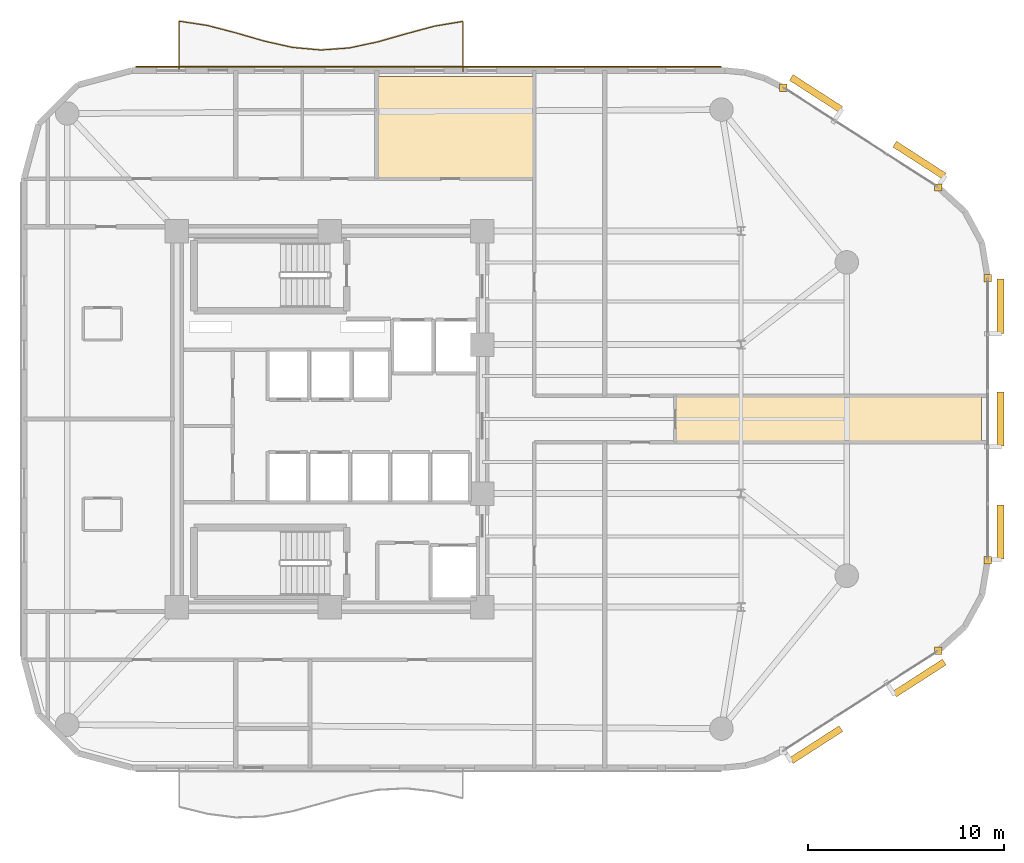
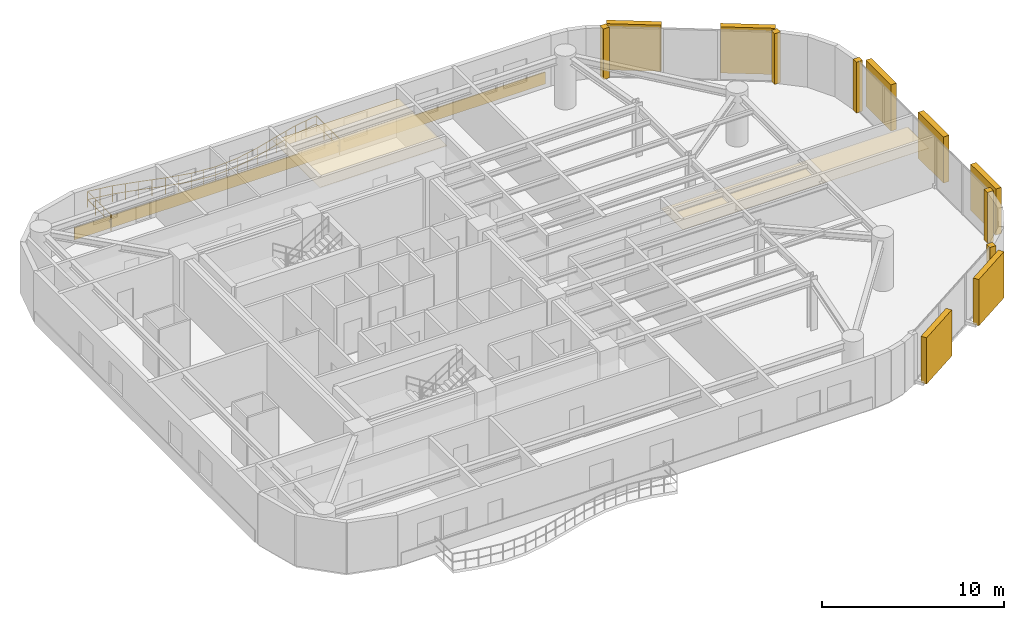
# One storey, part 15 of 15: 8 coverings, 7 shading devices, 1 railing.
"""IFC4 building model written with IfcOpenShell, lengths in metres."""

from ifc_helpers import new_model, si_unit, direction, frame, origin, origin_2d, place, context, subcontext, project, spatial, polyline, rectangle, circle, outline, extrude, material, layer, layer_set, type_object, element, save


model = new_model("IFC4")

# Units and contexts
model_context = context("Model", 3, precision=1e-05, world=origin(), true_north=direction((0.0, 1.0)))
body_context = subcontext(model_context, "Body", "Model", "MODEL_VIEW")
ifc_project = project(units=[si_unit("LENGTHUNIT", "METRE"), si_unit("AREAUNIT", "SQUARE_METRE"), si_unit("VOLUMEUNIT", "CUBIC_METRE"), si_unit("PLANEANGLEUNIT", "RADIAN"), si_unit("MASSUNIT", "GRAM", prefix="KILO")], contexts=[model_context])

# Site, building, storey
site_placement = place(None, origin())
site = spatial("IfcSite", under=ifc_project, at=site_placement, CompositionType="ELEMENT")
building_placement = place(site_placement, origin())
building = spatial("IfcBuilding", under=site, at=building_placement, Name="An Khanh Terracotta Commons", CompositionType="ELEMENT")
storey_placement = place(building_placement, frame((0.0, 0.0, 179.800048828125)))
storey = spatial("IfcBuildingStorey", under=building, at=storey_placement, Name="L47", CompositionType="ELEMENT", Elevation=179.800048828125)

# Coverings
ifc_material_1 = material(Name="Perforated Mineral-Fibre Acoustic Tile")
ifc_layer_1 = layer(ifc_material_1, 0.02001953125, Name="Perforated Mineral-Fibre Acoustic Tile")
ifc_layer_set_1 = layer_set([ifc_layer_1], Name="Perforated Mineral-Fibre Acoustic Tile")
covering_type_1 = type_object("IfcCoveringType", Name="CEIL-ACOUSTIC-18", PredefinedType="CEILING", material=ifc_layer_set_1)
covering_1_placement = place(storey_placement, frame((0.0, 0.0, 2.64990234375)))
element("IfcCovering", 1, at=covering_1_placement, inside=storey, type_object=covering_type_1, Name="L47 Academic Seminar Room Ceiling", PredefinedType="CEILING", context=body_context, shape_type="SweptSolid", body=[
    extrude(outline(polyline([(62.679931640625, 22.820068359375), (47.050048828125, 22.820068359375), (47.050048828125, 25.179931640625), (62.679931640625, 25.179931640625), (62.679931640625, 22.820068359375)])), origin(), (0.0, 0.0, 1.0), 0.02001953125),
])
covering_2_placement = place(storey_placement, frame((0.0, 0.0, 2.64990234375)))
element("IfcCovering", 2, at=covering_2_placement, inside=storey, type_object=covering_type_1, Name="L47 Student Reading Library Ceiling", PredefinedType="CEILING", context=body_context, shape_type="SweptSolid", body=[
    extrude(outline(polyline([(39.85009765625, 41.47998046875), (39.85009765625, 36.280029296875), (37.5, 36.280029296875), (31.800048828125, 36.280029296875), (31.800048828125, 39.800048828125), (31.800048828125, 41.47998046875), (39.85009765625, 41.47998046875)])), origin(), (0.0, 0.0, 1.0), 0.02001953125),
])
ifc_material_2 = material(Name="Fired Terracotta Rainscreen Cladding", Category="masonry")
ifc_layer_2 = layer(ifc_material_2, 0.080078125, Name="Fired Terracotta Rainscreen Cladding")
ifc_layer_set_2 = layer_set([ifc_layer_2], Name="Fired Terracotta Rainscreen Cladding")
covering_type_2 = type_object("IfcCoveringType", Name="COV-JAMB-TERRA", PredefinedType="CLADDING", material=ifc_layer_set_2)
for number, where, z_axis, x_axis, name in (
    (3, (60.47802734375, 12.176025390625, 0.0), (0.0, 0.0, 1.0), (1.0, 0.0, 0.0), "L47 CW-03 Curtain-Wall Jamb Closure JB"),
    (4, (63.0, 16.800048828125, 0.0), (0.0, 0.0, 1.0), (1.0, 0.0, 0.0), "L47 CW-03 Curtain-Wall Jamb Closure JA"),
    (5, (63.0, 31.199951171875, 0.0), (0.0, 0.0, 1.0), (1.0, 0.0, 0.0), "L47 CW-03 Curtain-Wall Jamb Closure JB"),
    (6, (60.47802734375, 35.823974609375, 0.0), (0.0, 0.0, 1.0), (1.0, 0.0, 0.0), "L47 CW-03 Curtain-Wall Jamb Closure JA"),
    (7, (52.56005859375, 40.924072265625, 0.0), (0.0, 0.0, 1.0), (1.0, 0.0, 0.0), "L47 CW-03 Curtain-Wall Jamb Closure JB"),
):
    element("IfcCovering", number, at=place(storey_placement, frame(where, z_axis=z_axis, x_axis=x_axis)), inside=storey, type_object=covering_type_2, Name=name, PredefinedType="CLADDING", context=body_context, shape_type="SweptSolid", body=[
        extrude(rectangle(XDim=0.3798828125, YDim=0.3798828125, at=origin_2d()), origin(), (0.0, 0.0, 1.0), 3.39990234375),
    ])
ifc_layer_3 = layer(ifc_material_2, 0.06005859375, Name="Fired Terracotta Rainscreen Cladding")
ifc_layer_set_3 = layer_set([ifc_layer_3], Name="Fired Terracotta Rainscreen Cladding")
covering_type_3 = type_object("IfcCoveringType", Name="COV-SPANDREL-TERRA", PredefinedType="CLADDING", material=ifc_layer_set_3)
covering_3_placement = place(storey_placement, frame((34.44091796875, 41.97998046875, 0.02001953125), z_axis=(0.0, 0.0, 1.0), x_axis=(-1.0, 0.0, 0.0)))
element("IfcCovering", 8, at=covering_3_placement, inside=storey, type_object=covering_type_3, Name="L47 Terracotta Spandrel Cladding 20", PredefinedType="CLADDING", context=body_context, shape_type="SweptSolid", body=[
    extrude(rectangle(XDim=29.882080078125, YDim=0.06005859375, at=origin_2d()), origin(), (0.0, 0.0, 1.0), 0.800048828125),
])

# Railing
ifc_material_3 = material(Name="Brushed Stainless Steel 316", Category="steel")
railing_type = type_object("IfcRailingType", Name="RAIL-BALUSTRADE-1100", PredefinedType="BALUSTRADE", material=ifc_material_3)
railing_placement = place(storey_placement, frame((36.199951171875, 41.739990234375, 0.0)))
element("IfcRailing", 9, at=railing_placement, inside=storey, type_object=railing_type, Name="L47 N Wave Balcony Guard Balustrade", PredefinedType="BALUSTRADE", context=body_context, shape_type="SweptSolid", body=[
    extrude(circle(Radius=0.02392578125, at=origin_2d()), frame((0.0, 0.0, 1.076171875), z_axis=(0.0, 1.0, 0.0), x_axis=(-1.0, 0.0, 0.0)), (0.0, 0.0, 1.0), 2.56005859375),
    extrude(circle(Radius=0.02392578125, at=origin_2d()), frame((0.0, 0.0, 0.52587890625), z_axis=(0.0, 1.0, 0.0), x_axis=(-1.0, 0.0, 0.0)), (0.0, 0.0, 1.0), 2.56005859375),
    extrude(circle(Radius=0.02392578125, at=origin_2d()), frame((0.0, 2.56005859375, 1.076171875), z_axis=(-0.98636248485, -0.1645875101, 0.0), x_axis=(0.1645875101, -0.98636248485, 0.0)), (0.0, 0.0, 1.0), 1.469970703125),
    extrude(circle(Radius=0.02392578125, at=origin_2d()), frame((0.0, 2.56005859375, 0.52587890625), z_axis=(-0.98636248485, -0.1645875101, 0.0), x_axis=(0.1645875101, -0.98636248485, 0.0)), (0.0, 0.0, 1.0), 1.469970703125),
    extrude(circle(Radius=0.02392578125, at=origin_2d()), frame((-1.449951171875, 2.318115234375, 1.076171875), z_axis=(-0.96565499472, -0.259827695161, 0.0), x_axis=(0.259827695161, -0.96565499472, 0.0)), (0.0, 0.0, 1.0), 1.50146484375),
    extrude(circle(Radius=0.02392578125, at=origin_2d()), frame((-1.449951171875, 2.318115234375, 0.52587890625), z_axis=(-0.96565499472, -0.259827695161, 0.0), x_axis=(0.259827695161, -0.96565499472, 0.0)), (0.0, 0.0, 1.0), 1.50146484375),
    extrude(circle(Radius=0.02392578125, at=origin_2d()), frame((-2.89990234375, 1.927978515625, 1.076171875), z_axis=(-0.961560597076, -0.274592822469, 0.0), x_axis=(0.274592822469, -0.961560597076, 0.0)), (0.0, 0.0, 1.0), 1.5078125),
    extrude(circle(Radius=0.02392578125, at=origin_2d()), frame((-2.89990234375, 1.927978515625, 0.52587890625), z_axis=(-0.961560597076, -0.274592822469, 0.0), x_axis=(0.274592822469, -0.961560597076, 0.0)), (0.0, 0.0, 1.0), 1.5078125),
    extrude(circle(Radius=0.02392578125, at=origin_2d()), frame((-4.349853515625, 1.513916015625, 1.076171875), z_axis=(-0.978066690423, -0.208291980368, 0.0), x_axis=(0.208291980368, -0.978066690423, 0.0)), (0.0, 0.0, 1.0), 1.482666015625),
    extrude(circle(Radius=0.02392578125, at=origin_2d()), frame((-4.349853515625, 1.513916015625, 0.52587890625), z_axis=(-0.978066690423, -0.208291980368, 0.0), x_axis=(0.208291980368, -0.978066690423, 0.0)), (0.0, 0.0, 1.0), 1.482666015625),
    extrude(circle(Radius=0.02392578125, at=origin_2d()), frame((-5.800048828125, 1.205078125, 1.076171875), z_axis=(-0.997389180348, -0.072213730855, 0.0), x_axis=(0.072213730855, -0.997389180348, 0.0)), (0.0, 0.0, 1.0), 1.453857421875),
    extrude(circle(Radius=0.02392578125, at=origin_2d()), frame((-5.800048828125, 1.205078125, 0.52587890625), z_axis=(-0.997389180348, -0.072213730855, 0.0), x_axis=(0.072213730855, -0.997389180348, 0.0)), (0.0, 0.0, 1.0), 1.453857421875),
    extrude(circle(Radius=0.02392578125, at=origin_2d()), frame((-7.25, 1.10009765625, 1.076171875), z_axis=(-0.995891831871, 0.090550865333, 0.0), x_axis=(-0.090550865333, -0.995891831871, 0.0)), (0.0, 0.0, 1.0), 1.455810546875),
    extrude(circle(Radius=0.02392578125, at=origin_2d()), frame((-7.25, 1.10009765625, 0.52587890625), z_axis=(-0.995891831871, 0.090550865333, 0.0), x_axis=(-0.090550865333, -0.995891831871, 0.0)), (0.0, 0.0, 1.0), 1.455810546875),
    extrude(circle(Radius=0.02392578125, at=origin_2d()), frame((-8.699951171875, 1.23193359375, 1.076171875), z_axis=(-0.975619429785, 0.21946919653, 0.0), x_axis=(-0.21946919653, -0.975619429785, 0.0)), (0.0, 0.0, 1.0), 1.486083984375),
    extrude(circle(Radius=0.02392578125, at=origin_2d()), frame((-8.699951171875, 1.23193359375, 0.52587890625), z_axis=(-0.975619429785, 0.21946919653, 0.0), x_axis=(-0.21946919653, -0.975619429785, 0.0)), (0.0, 0.0, 1.0), 1.486083984375),
    extrude(circle(Radius=0.02392578125, at=origin_2d()), frame((-10.14990234375, 1.55810546875, 1.076171875), z_axis=(-0.960701721664, 0.277582784034, 0.0), x_axis=(-0.277582784034, -0.960701721664, 0.0)), (0.0, 0.0, 1.0), 1.50927734375),
    extrude(circle(Radius=0.02392578125, at=origin_2d()), frame((-10.14990234375, 1.55810546875, 0.52587890625), z_axis=(-0.960701721664, 0.277582784034, 0.0), x_axis=(-0.277582784034, -0.960701721664, 0.0)), (0.0, 0.0, 1.0), 1.50927734375),
    extrude(circle(Radius=0.02392578125, at=origin_2d()), frame((-11.599853515625, 1.97705078125, 1.076171875), z_axis=(-0.967679523203, 0.252183148471, 0.0), x_axis=(-0.252183148471, -0.967679523203, 0.0)), (0.0, 0.0, 1.0), 1.49853515625),
    extrude(circle(Radius=0.02392578125, at=origin_2d()), frame((-11.599853515625, 1.97705078125, 0.52587890625), z_axis=(-0.967679523203, 0.252183148471, 0.0), x_axis=(-0.252183148471, -0.967679523203, 0.0)), (0.0, 0.0, 1.0), 1.49853515625),
    extrude(circle(Radius=0.02392578125, at=origin_2d()), frame((-13.050048828125, 2.35498046875, 1.076171875), z_axis=(-0.988785638282, 0.149341760825, 0.0), x_axis=(-0.149341760825, -0.988785638282, 0.0)), (0.0, 0.0, 1.0), 1.46630859375),
    extrude(circle(Radius=0.02392578125, at=origin_2d()), frame((-13.050048828125, 2.35498046875, 0.52587890625), z_axis=(-0.988785638282, 0.149341760825, 0.0), x_axis=(-0.149341760825, -0.988785638282, 0.0)), (0.0, 0.0, 1.0), 1.46630859375),
    extrude(circle(Radius=0.02392578125, at=origin_2d()), frame((-14.5, 2.573974609375, 1.076171875), z_axis=(0.0, -1.0, 0.0), x_axis=(1.0, 0.0, 0.0)), (0.0, 0.0, 1.0), 2.573974609375),
    extrude(circle(Radius=0.02392578125, at=origin_2d()), frame((-14.5, 2.573974609375, 0.52587890625), z_axis=(0.0, -1.0, 0.0), x_axis=(1.0, 0.0, 0.0)), (0.0, 0.0, 1.0), 2.573974609375),
    extrude(circle(Radius=0.02099609375, at=origin_2d()), origin(), (0.0, 0.0, 1.0), 1.052001953125),
    extrude(circle(Radius=0.02099609375, at=origin_2d()), frame((0.0, 0.853271484375, 0.0)), (0.0, 0.0, 1.0), 1.052001953125),
    extrude(circle(Radius=0.02099609375, at=origin_2d()), frame((0.0, 1.706787109375, 0.0)), (0.0, 0.0, 1.0), 1.052001953125),
    extrude(circle(Radius=0.02099609375, at=origin_2d()), frame((0.0, 2.56005859375, 0.0)), (0.0, 0.0, 1.0), 1.052001953125),
    extrude(circle(Radius=0.02099609375, at=origin_2d()), frame((-0.72509765625, 2.43896484375, 0.0)), (0.0, 0.0, 1.0), 1.052001953125),
    extrude(circle(Radius=0.02099609375, at=origin_2d()), frame((-1.449951171875, 2.318115234375, 0.0)), (0.0, 0.0, 1.0), 1.052001953125),
    extrude(circle(Radius=0.02099609375, at=origin_2d()), frame((-2.1748046875, 2.123046875, 0.0)), (0.0, 0.0, 1.0), 1.052001953125),
    extrude(circle(Radius=0.02099609375, at=origin_2d()), frame((-2.89990234375, 1.927978515625, 0.0)), (0.0, 0.0, 1.0), 1.052001953125),
    extrude(circle(Radius=0.02099609375, at=origin_2d()), frame((-3.625, 1.720947265625, 0.0)), (0.0, 0.0, 1.0), 1.052001953125),
    extrude(circle(Radius=0.02099609375, at=origin_2d()), frame((-4.349853515625, 1.513916015625, 0.0)), (0.0, 0.0, 1.0), 1.052001953125),
    extrude(circle(Radius=0.02099609375, at=origin_2d()), frame((-5.074951171875, 1.359375, 0.0)), (0.0, 0.0, 1.0), 1.052001953125),
    extrude(circle(Radius=0.02099609375, at=origin_2d()), frame((-5.800048828125, 1.205078125, 0.0)), (0.0, 0.0, 1.0), 1.052001953125),
    extrude(circle(Radius=0.02099609375, at=origin_2d()), frame((-6.52490234375, 1.152587890625, 0.0)), (0.0, 0.0, 1.0), 1.052001953125),
    extrude(circle(Radius=0.02099609375, at=origin_2d()), frame((-7.25, 1.10009765625, 0.0)), (0.0, 0.0, 1.0), 1.052001953125),
    extrude(circle(Radius=0.02099609375, at=origin_2d()), frame((-7.97509765625, 1.166015625, 0.0)), (0.0, 0.0, 1.0), 1.052001953125),
    extrude(circle(Radius=0.02099609375, at=origin_2d()), frame((-8.699951171875, 1.23193359375, 0.0)), (0.0, 0.0, 1.0), 1.052001953125),
    extrude(circle(Radius=0.02099609375, at=origin_2d()), frame((-9.4248046875, 1.39501953125, 0.0)), (0.0, 0.0, 1.0), 1.052001953125),
    extrude(circle(Radius=0.02099609375, at=origin_2d()), frame((-10.14990234375, 1.55810546875, 0.0)), (0.0, 0.0, 1.0), 1.052001953125),
    extrude(circle(Radius=0.02099609375, at=origin_2d()), frame((-10.875, 1.767578125, 0.0)), (0.0, 0.0, 1.0), 1.052001953125),
    extrude(circle(Radius=0.02099609375, at=origin_2d()), frame((-11.599853515625, 1.97705078125, 0.0)), (0.0, 0.0, 1.0), 1.052001953125),
    extrude(circle(Radius=0.02099609375, at=origin_2d()), frame((-12.324951171875, 2.166015625, 0.0)), (0.0, 0.0, 1.0), 1.052001953125),
    extrude(circle(Radius=0.02099609375, at=origin_2d()), frame((-13.050048828125, 2.35498046875, 0.0)), (0.0, 0.0, 1.0), 1.052001953125),
    extrude(circle(Radius=0.02099609375, at=origin_2d()), frame((-13.77490234375, 2.46435546875, 0.0)), (0.0, 0.0, 1.0), 1.052001953125),
    extrude(circle(Radius=0.02099609375, at=origin_2d()), frame((-14.5, 2.573974609375, 0.0)), (0.0, 0.0, 1.0), 1.052001953125),
    extrude(circle(Radius=0.02099609375, at=origin_2d()), frame((-14.5, 1.716064453125, 0.0)), (0.0, 0.0, 1.0), 1.052001953125),
    extrude(circle(Radius=0.02099609375, at=origin_2d()), frame((-14.5, 0.85791015625, 0.0)), (0.0, 0.0, 1.0), 1.052001953125),
    extrude(circle(Radius=0.02099609375, at=origin_2d()), frame((-14.5, 0.0, 0.0)), (0.0, 0.0, 1.0), 1.052001953125),
])

# Shading devices
ifc_material_4 = material(Name="Extruded Fired Terracotta", Category="masonry")
shading_device_type = type_object("IfcShadingDeviceType", Name="Terracotta Baguette Screen Assembly", PredefinedType="USERDEFINED", material=ifc_material_4)
for number, where, z_axis, x_axis, name in (
    (10, (54.23193359375, 7.3798828125, 0.14990234375), (0.0, 0.0, 1.0), (0.840702081986, 0.541497931062, 0.0), "L47 Terracotta Baguette Screen 1"),
    (11, (59.510009765625, 10.780029296875, 0.14990234375), (0.0, 0.0, 1.0), (0.840702081986, 0.541497931062, 0.0), "L47 Terracotta Baguette Screen 3"),
):
    element("IfcShadingDevice", number, at=place(storey_placement, frame(where, z_axis=z_axis, x_axis=x_axis)), inside=storey, type_object=shading_device_type, Name=name, ObjectType="BAGUETTE", PredefinedType="USERDEFINED", context=body_context, shape_type="SweptSolid", body=[
        extrude(rectangle(XDim=3.01904296875, YDim=0.35009765625, at=origin_2d()), origin(), (0.0, 0.0, 1.0), 3.10009765625),
    ])
for number, where, z_axis, x_axis, name in (
    (12, (63.64990234375, 18.239990234375, 0.14990234375), (0.0, 0.0, 1.0), (0.0, 1.0, 0.0), "L47 Terracotta Baguette Screen 1"),
    (13, (63.64990234375, 24.0, 0.14990234375), (0.0, 0.0, 1.0), (0.0, 1.0, 0.0), "L47 Terracotta Baguette Screen 3"),
    (14, (63.64990234375, 29.760009765625, 0.14990234375), (0.0, 0.0, 1.0), (0.0, 1.0, 0.0), "L47 Terracotta Baguette Screen 5"),
):
    element("IfcShadingDevice", number, at=place(storey_placement, frame(where, z_axis=z_axis, x_axis=x_axis)), inside=storey, type_object=shading_device_type, Name=name, ObjectType="BAGUETTE", PredefinedType="USERDEFINED", context=body_context, shape_type="SweptSolid", body=[
        extrude(rectangle(XDim=2.760009765625, YDim=0.35009765625, at=origin_2d()), origin(), (0.0, 0.0, 1.0), 3.10009765625),
    ])
for number, where, z_axis, x_axis, name in (
    (15, (59.510009765625, 37.219970703125, 0.14990234375), (0.0, 0.0, 1.0), (-0.840702081986, 0.541497931062, 0.0), "L47 Terracotta Baguette Screen 1"),
    (16, (54.23193359375, 40.6201171875, 0.14990234375), (0.0, 0.0, 1.0), (-0.840702081986, 0.541497931062, 0.0), "L47 Terracotta Baguette Screen 3"),
):
    element("IfcShadingDevice", number, at=place(storey_placement, frame(where, z_axis=z_axis, x_axis=x_axis)), inside=storey, type_object=shading_device_type, Name=name, ObjectType="BAGUETTE", PredefinedType="USERDEFINED", context=body_context, shape_type="SweptSolid", body=[
        extrude(rectangle(XDim=3.01904296875, YDim=0.35009765625, at=origin_2d()), origin(), (0.0, 0.0, 1.0), 3.10009765625),
    ])

save(model, "model.ifc")
